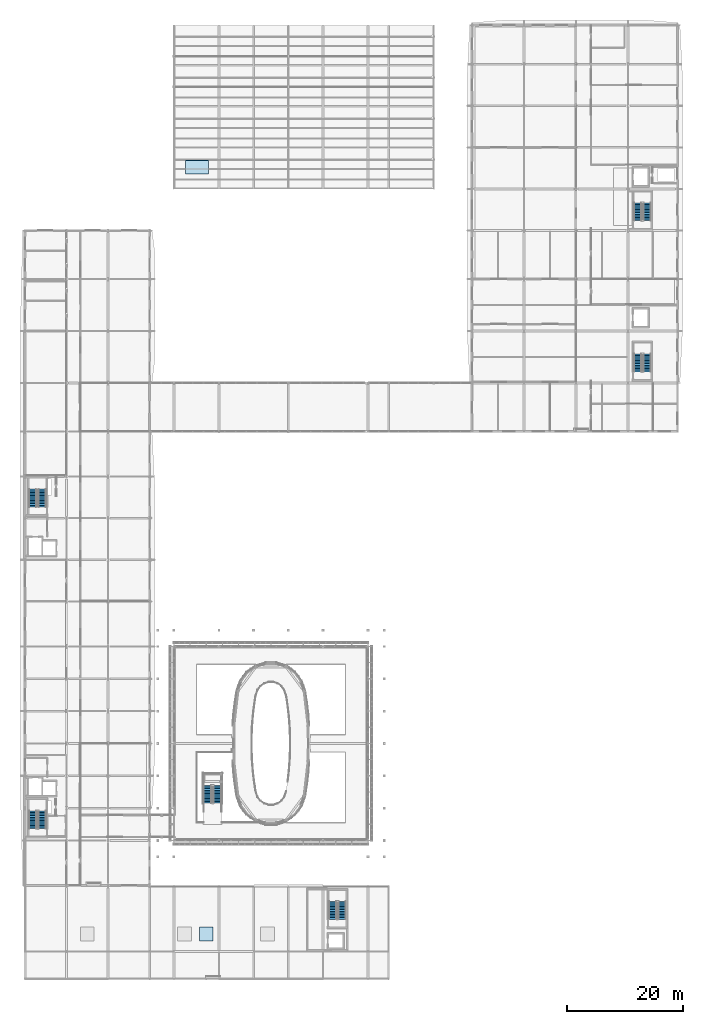
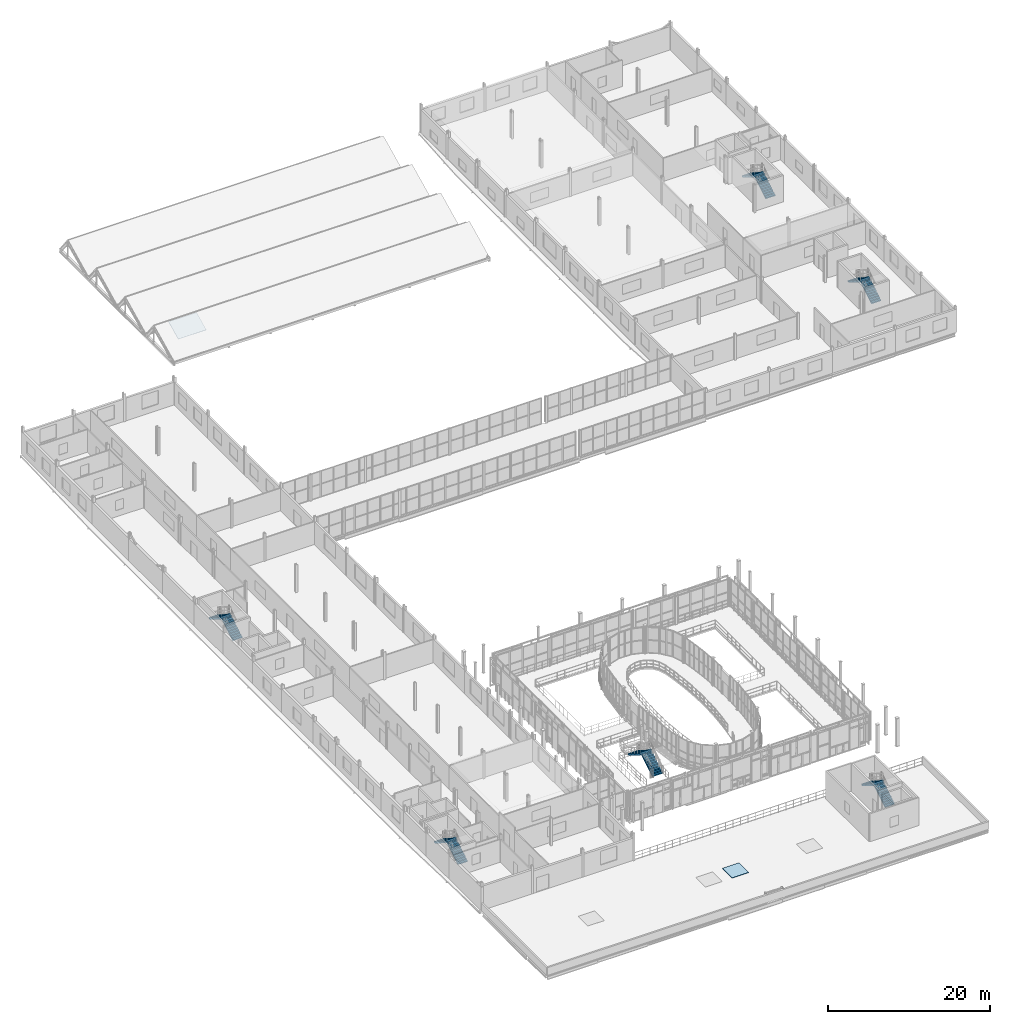
# One storey, part 124 of 138: 12 stair flights, 2 roofs, 6 elements without a shape of their own.
"""IFC4 building model written with IfcOpenShell, lengths in metres."""

from ifc_helpers import new_model, si_unit, direction, frame, origin, origin_2d, place, context, subcontext, project, spatial, polyline, rectangle, outline, extrude, material, layer, layer_set, type_object, element, aggregate, save


model = new_model("IFC4")

# Units and contexts
model_context = context("Model", 3, precision=1e-05, world=origin(), true_north=direction((0.0, 1.0)))
body_context = subcontext(model_context, "Body", "Model", "MODEL_VIEW")
ifc_project = project(units=[si_unit("LENGTHUNIT", "METRE"), si_unit("AREAUNIT", "SQUARE_METRE"), si_unit("VOLUMEUNIT", "CUBIC_METRE"), si_unit("PLANEANGLEUNIT", "RADIAN"), si_unit("MASSUNIT", "GRAM", prefix="KILO")], contexts=[model_context])

# Site, building, storey
site_placement = place(None, origin())
site = spatial("IfcSite", under=ifc_project, at=site_placement, CompositionType="ELEMENT")
building_placement = place(site_placement, origin())
building = spatial("IfcBuilding", under=site, at=building_placement, Name="Vinh Khe Railworks Police Headquarters", CompositionType="ELEMENT")
storey_placement = place(building_placement, frame((0.0, 0.0, 9.0)))
storey = spatial("IfcBuildingStorey", under=building, at=storey_placement, Name="L02", CompositionType="ELEMENT", Elevation=9.0)

# Stair, stair flights
ifc_material_1 = material(Name="Precast concrete C40/50 (B40)", Category="concrete")
stair_type_1 = type_object("IfcStairType", Name="ST-CORE-DOGLEG", PredefinedType="HALF_TURN_STAIR", material=ifc_material_1)
stair_1_placement = place(storey_placement, origin())
stair_1 = element("IfcStair", 1, at=stair_1_placement, inside=storey, type_object=stair_type_1, Name="L02 Escape Stair ST-01", PredefinedType="HALF_TURN_STAIR")
stair_flight_type_1 = type_object("IfcStairFlightType", Name="STF-PRECAST-1350", PredefinedType="STRAIGHT", material=ifc_material_1)
stair_flight_1_placement = place(storey_placement, frame((3.625, 27.25, 0.0), z_axis=(0.0, 0.0, 1.0), x_axis=(0.0, 1.0, 0.0)))
stair_flight_1 = element("IfcStairFlight", 2, at=stair_flight_1_placement, type_object=stair_flight_type_1, Name="ST-01 flight 1", NumberOfRisers=12, NumberOfTreads=11, PredefinedType="STRAIGHT", RiserHeight=0.175, TreadLength=0.28, context=body_context, shape_type="SweptSolid", body=[
    extrude(outline(polyline([(0.0, 0.0), (0.0, 0.175048828125), (0.280029296875, 0.175048828125), (0.280029296875, 0.35009765625), (0.56005859375, 0.35009765625), (0.56005859375, 0.52490234375), (0.840087890625, 0.52490234375), (0.840087890625, 0.699951171875), (1.1201171875, 0.699951171875), (1.1201171875, 0.875), (1.39990234375, 0.875), (1.39990234375, 1.050048828125), (1.679931640625, 1.050048828125), (1.679931640625, 1.22509765625), (1.9599609375, 1.22509765625), (1.9599609375, 1.39990234375), (2.239990234375, 1.39990234375), (2.239990234375, 1.574951171875), (2.52001953125, 1.574951171875), (2.52001953125, 1.75), (2.800048828125, 1.75), (2.800048828125, 1.925048828125), (3.080078125, 1.925048828125), (3.080078125, 2.10009765625), (3.080078125, 1.748291015625), (0.28271484375, 0.0), (0.0, 0.0)])), frame((0.0, 0.675048828125, 0.0), z_axis=(0.0, -1.0, 0.0), x_axis=(1.0, 0.0, 0.0)), (0.0, 0.0, 1.0), 1.35009765625),
])
stair_flight_2_placement = place(storey_placement, frame((1.97509765625, 30.330078125, 2.10009765625), z_axis=(0.0, 0.0, 1.0), x_axis=(0.0, -1.0, 0.0)))
stair_flight_2 = element("IfcStairFlight", 3, at=stair_flight_2_placement, type_object=stair_flight_type_1, Name="ST-01 flight 2", NumberOfRisers=12, NumberOfTreads=11, PredefinedType="STRAIGHT", RiserHeight=0.175, TreadLength=0.28, context=body_context, shape_type="SweptSolid", body=[
    extrude(outline(polyline([(0.0, 0.0), (0.0, 0.175048828125), (0.280029296875, 0.175048828125), (0.280029296875, 0.35009765625), (0.56005859375, 0.35009765625), (0.56005859375, 0.52490234375), (0.840087890625, 0.52490234375), (0.840087890625, 0.699951171875), (1.1201171875, 0.699951171875), (1.1201171875, 0.875), (1.39990234375, 0.875), (1.39990234375, 1.050048828125), (1.679931640625, 1.050048828125), (1.679931640625, 1.22509765625), (1.9599609375, 1.22509765625), (1.9599609375, 1.39990234375), (2.239990234375, 1.39990234375), (2.239990234375, 1.574951171875), (2.52001953125, 1.574951171875), (2.52001953125, 1.75), (2.800048828125, 1.75), (2.800048828125, 1.925048828125), (3.080078125, 1.925048828125), (3.080078125, 2.10009765625), (3.080078125, 1.748291015625), (0.28271484375, 0.0), (0.0, 0.0)])), frame((0.0, 0.675048828125, 0.0), z_axis=(0.0, -1.0, 0.0), x_axis=(1.0, 0.0, 0.0)), (0.0, 0.0, 1.0), 1.35009765625),
])
aggregate(stair_1, [stair_flight_1, stair_flight_2])

stair_2_placement = place(storey_placement, origin())
stair_2 = element("IfcStair", 4, at=stair_2_placement, inside=storey, type_object=stair_type_1, Name="L02 Escape Stair ST-02", PredefinedType="HALF_TURN_STAIR")
stair_flight_3_placement = place(storey_placement, frame((3.625, 82.949951171875, 0.0), z_axis=(0.0, 0.0, 1.0), x_axis=(0.0, 1.0, 0.0)))
stair_flight_3 = element("IfcStairFlight", 5, at=stair_flight_3_placement, type_object=stair_flight_type_1, Name="ST-02 flight 1", NumberOfRisers=12, NumberOfTreads=11, PredefinedType="STRAIGHT", RiserHeight=0.175, TreadLength=0.28, context=body_context, shape_type="SweptSolid", body=[
    extrude(outline(polyline([(0.0, 0.0), (0.0, 0.175048828125), (0.280029296875, 0.175048828125), (0.280029296875, 0.35009765625), (0.56005859375, 0.35009765625), (0.56005859375, 0.52490234375), (0.840087890625, 0.52490234375), (0.840087890625, 0.699951171875), (1.1201171875, 0.699951171875), (1.1201171875, 0.875), (1.39990234375, 0.875), (1.39990234375, 1.050048828125), (1.679931640625, 1.050048828125), (1.679931640625, 1.22509765625), (1.9599609375, 1.22509765625), (1.9599609375, 1.39990234375), (2.239990234375, 1.39990234375), (2.239990234375, 1.574951171875), (2.52001953125, 1.574951171875), (2.52001953125, 1.75), (2.800048828125, 1.75), (2.800048828125, 1.925048828125), (3.080078125, 1.925048828125), (3.080078125, 2.10009765625), (3.080078125, 1.748291015625), (0.28271484375, 0.0), (0.0, 0.0)])), frame((0.0, 0.675048828125, 0.0), z_axis=(0.0, -1.0, 0.0), x_axis=(1.0, 0.0, 0.0)), (0.0, 0.0, 1.0), 1.35009765625),
])
stair_flight_4_placement = place(storey_placement, frame((1.97509765625, 86.030029296875, 2.10009765625), z_axis=(0.0, 0.0, 1.0), x_axis=(0.0, -1.0, 0.0)))
stair_flight_4 = element("IfcStairFlight", 6, at=stair_flight_4_placement, type_object=stair_flight_type_1, Name="ST-02 flight 2", NumberOfRisers=12, NumberOfTreads=11, PredefinedType="STRAIGHT", RiserHeight=0.175, TreadLength=0.28, context=body_context, shape_type="SweptSolid", body=[
    extrude(outline(polyline([(0.0, 0.0), (0.0, 0.175048828125), (0.280029296875, 0.175048828125), (0.280029296875, 0.35009765625), (0.56005859375, 0.35009765625), (0.56005859375, 0.52490234375), (0.840087890625, 0.52490234375), (0.840087890625, 0.699951171875), (1.1201171875, 0.699951171875), (1.1201171875, 0.875), (1.39990234375, 0.875), (1.39990234375, 1.050048828125), (1.679931640625, 1.050048828125), (1.679931640625, 1.22509765625), (1.9599609375, 1.22509765625), (1.9599609375, 1.39990234375), (2.239990234375, 1.39990234375), (2.239990234375, 1.574951171875), (2.52001953125, 1.574951171875), (2.52001953125, 1.75), (2.800048828125, 1.75), (2.800048828125, 1.925048828125), (3.080078125, 1.925048828125), (3.080078125, 2.10009765625), (3.080078125, 1.748291015625), (0.28271484375, 0.0), (0.0, 0.0)])), frame((0.0, 0.675048828125, 0.0), z_axis=(0.0, -1.0, 0.0), x_axis=(1.0, 0.0, 0.0)), (0.0, 0.0, 1.0), 1.35009765625),
])
aggregate(stair_2, [stair_flight_3, stair_flight_4])

stair_3_placement = place(storey_placement, origin())
stair_3 = element("IfcStair", 7, at=stair_3_placement, inside=storey, type_object=stair_type_1, Name="L02 Escape Stair ST-03", PredefinedType="HALF_TURN_STAIR")
stair_flight_5_placement = place(storey_placement, frame((108.324951171875, 132.5, 0.0), z_axis=(0.0, 0.0, 1.0), x_axis=(0.0, 1.0, 0.0)))
stair_flight_5 = element("IfcStairFlight", 8, at=stair_flight_5_placement, type_object=stair_flight_type_1, Name="ST-03 flight 1", NumberOfRisers=12, NumberOfTreads=11, PredefinedType="STRAIGHT", RiserHeight=0.175, TreadLength=0.28, context=body_context, shape_type="SweptSolid", body=[
    extrude(outline(polyline([(0.0, 0.0), (0.0, 0.175048828125), (0.280029296875, 0.175048828125), (0.280029296875, 0.35009765625), (0.56005859375, 0.35009765625), (0.56005859375, 0.52490234375), (0.840087890625, 0.52490234375), (0.840087890625, 0.699951171875), (1.1201171875, 0.699951171875), (1.1201171875, 0.875), (1.39990234375, 0.875), (1.39990234375, 1.050048828125), (1.679931640625, 1.050048828125), (1.679931640625, 1.22509765625), (1.9599609375, 1.22509765625), (1.9599609375, 1.39990234375), (2.239990234375, 1.39990234375), (2.239990234375, 1.574951171875), (2.52001953125, 1.574951171875), (2.52001953125, 1.75), (2.800048828125, 1.75), (2.800048828125, 1.925048828125), (3.080078125, 1.925048828125), (3.080078125, 2.10009765625), (3.080078125, 1.748291015625), (0.28271484375, 0.0), (0.0, 0.0)])), frame((0.0, 0.675048828125, 0.0), z_axis=(0.0, -1.0, 0.0), x_axis=(1.0, 0.0, 0.0)), (0.0, 0.0, 1.0), 1.35009765625),
])
stair_flight_6_placement = place(storey_placement, frame((106.675048828125, 135.580078125, 2.10009765625), z_axis=(0.0, 0.0, 1.0), x_axis=(0.0, -1.0, 0.0)))
stair_flight_6 = element("IfcStairFlight", 9, at=stair_flight_6_placement, type_object=stair_flight_type_1, Name="ST-03 flight 2", NumberOfRisers=12, NumberOfTreads=11, PredefinedType="STRAIGHT", RiserHeight=0.175, TreadLength=0.28, context=body_context, shape_type="SweptSolid", body=[
    extrude(outline(polyline([(0.0, 0.0), (0.0, 0.175048828125), (0.280029296875, 0.175048828125), (0.280029296875, 0.35009765625), (0.56005859375, 0.35009765625), (0.56005859375, 0.52490234375), (0.840087890625, 0.52490234375), (0.840087890625, 0.699951171875), (1.1201171875, 0.699951171875), (1.1201171875, 0.875), (1.39990234375, 0.875), (1.39990234375, 1.050048828125), (1.679931640625, 1.050048828125), (1.679931640625, 1.22509765625), (1.9599609375, 1.22509765625), (1.9599609375, 1.39990234375), (2.239990234375, 1.39990234375), (2.239990234375, 1.574951171875), (2.52001953125, 1.574951171875), (2.52001953125, 1.75), (2.800048828125, 1.75), (2.800048828125, 1.925048828125), (3.080078125, 1.925048828125), (3.080078125, 2.10009765625), (3.080078125, 1.748291015625), (0.28271484375, 0.0), (0.0, 0.0)])), frame((0.0, 0.675048828125, 0.0), z_axis=(0.0, -1.0, 0.0), x_axis=(1.0, 0.0, 0.0)), (0.0, 0.0, 1.0), 1.35009765625),
])
aggregate(stair_3, [stair_flight_5, stair_flight_6])

stair_4_placement = place(storey_placement, origin())
stair_4 = element("IfcStair", 10, at=stair_4_placement, inside=storey, type_object=stair_type_1, Name="L02 Escape Stair ST-04", PredefinedType="HALF_TURN_STAIR")
stair_flight_7_placement = place(storey_placement, frame((108.324951171875, 106.35009765625, 0.0), z_axis=(0.0, 0.0, 1.0), x_axis=(0.0, 1.0, 0.0)))
stair_flight_7 = element("IfcStairFlight", 11, at=stair_flight_7_placement, type_object=stair_flight_type_1, Name="ST-04 flight 1", NumberOfRisers=12, NumberOfTreads=11, PredefinedType="STRAIGHT", RiserHeight=0.175, TreadLength=0.28, context=body_context, shape_type="SweptSolid", body=[
    extrude(outline(polyline([(0.0, 0.0), (0.0, 0.175048828125), (0.280029296875, 0.175048828125), (0.280029296875, 0.35009765625), (0.56005859375, 0.35009765625), (0.56005859375, 0.52490234375), (0.840087890625, 0.52490234375), (0.840087890625, 0.699951171875), (1.1201171875, 0.699951171875), (1.1201171875, 0.875), (1.39990234375, 0.875), (1.39990234375, 1.050048828125), (1.679931640625, 1.050048828125), (1.679931640625, 1.22509765625), (1.9599609375, 1.22509765625), (1.9599609375, 1.39990234375), (2.239990234375, 1.39990234375), (2.239990234375, 1.574951171875), (2.52001953125, 1.574951171875), (2.52001953125, 1.75), (2.800048828125, 1.75), (2.800048828125, 1.925048828125), (3.080078125, 1.925048828125), (3.080078125, 2.10009765625), (3.080078125, 1.748291015625), (0.28271484375, 0.0), (0.0, 0.0)])), frame((0.0, 0.675048828125, 0.0), z_axis=(0.0, -1.0, 0.0), x_axis=(1.0, 0.0, 0.0)), (0.0, 0.0, 1.0), 1.35009765625),
])
stair_flight_8_placement = place(storey_placement, frame((106.675048828125, 109.429931640625, 2.10009765625), z_axis=(0.0, 0.0, 1.0), x_axis=(0.0, -1.0, 0.0)))
stair_flight_8 = element("IfcStairFlight", 12, at=stair_flight_8_placement, type_object=stair_flight_type_1, Name="ST-04 flight 2", NumberOfRisers=12, NumberOfTreads=11, PredefinedType="STRAIGHT", RiserHeight=0.175, TreadLength=0.28, context=body_context, shape_type="SweptSolid", body=[
    extrude(outline(polyline([(0.0, 0.0), (0.0, 0.175048828125), (0.280029296875, 0.175048828125), (0.280029296875, 0.35009765625), (0.56005859375, 0.35009765625), (0.56005859375, 0.52490234375), (0.840087890625, 0.52490234375), (0.840087890625, 0.699951171875), (1.1201171875, 0.699951171875), (1.1201171875, 0.875), (1.39990234375, 0.875), (1.39990234375, 1.050048828125), (1.679931640625, 1.050048828125), (1.679931640625, 1.22509765625), (1.9599609375, 1.22509765625), (1.9599609375, 1.39990234375), (2.239990234375, 1.39990234375), (2.239990234375, 1.574951171875), (2.52001953125, 1.574951171875), (2.52001953125, 1.75), (2.800048828125, 1.75), (2.800048828125, 1.925048828125), (3.080078125, 1.925048828125), (3.080078125, 2.10009765625), (3.080078125, 1.748291015625), (0.28271484375, 0.0), (0.0, 0.0)])), frame((0.0, 0.675048828125, 0.0), z_axis=(0.0, -1.0, 0.0), x_axis=(1.0, 0.0, 0.0)), (0.0, 0.0, 1.0), 1.35009765625),
])
aggregate(stair_4, [stair_flight_7, stair_flight_8])

stair_5_placement = place(storey_placement, origin())
stair_5 = element("IfcStair", 13, at=stair_5_placement, inside=storey, type_object=stair_type_1, Name="L02 Escape Stair ST-05", PredefinedType="HALF_TURN_STAIR")
stair_flight_9_placement = place(storey_placement, frame((55.52490234375, 11.550048828125, 0.0), z_axis=(0.0, 0.0, 1.0), x_axis=(0.0, 1.0, 0.0)))
stair_flight_9 = element("IfcStairFlight", 14, at=stair_flight_9_placement, type_object=stair_flight_type_1, Name="ST-05 flight 1", NumberOfRisers=12, NumberOfTreads=11, PredefinedType="STRAIGHT", RiserHeight=0.175, TreadLength=0.28, context=body_context, shape_type="SweptSolid", body=[
    extrude(outline(polyline([(0.0, 0.0), (0.0, 0.175048828125), (0.280029296875, 0.175048828125), (0.280029296875, 0.35009765625), (0.56005859375, 0.35009765625), (0.56005859375, 0.52490234375), (0.840087890625, 0.52490234375), (0.840087890625, 0.699951171875), (1.1201171875, 0.699951171875), (1.1201171875, 0.875), (1.39990234375, 0.875), (1.39990234375, 1.050048828125), (1.679931640625, 1.050048828125), (1.679931640625, 1.22509765625), (1.9599609375, 1.22509765625), (1.9599609375, 1.39990234375), (2.239990234375, 1.39990234375), (2.239990234375, 1.574951171875), (2.52001953125, 1.574951171875), (2.52001953125, 1.75), (2.800048828125, 1.75), (2.800048828125, 1.925048828125), (3.080078125, 1.925048828125), (3.080078125, 2.10009765625), (3.080078125, 1.748291015625), (0.28271484375, 0.0), (0.0, 0.0)])), frame((0.0, 0.675048828125, 0.0), z_axis=(0.0, -1.0, 0.0), x_axis=(1.0, 0.0, 0.0)), (0.0, 0.0, 1.0), 1.35009765625),
])
stair_flight_10_placement = place(storey_placement, frame((53.875, 14.6298828125, 2.10009765625), z_axis=(0.0, 0.0, 1.0), x_axis=(0.0, -1.0, 0.0)))
stair_flight_10 = element("IfcStairFlight", 15, at=stair_flight_10_placement, type_object=stair_flight_type_1, Name="ST-05 flight 2", NumberOfRisers=12, NumberOfTreads=11, PredefinedType="STRAIGHT", RiserHeight=0.175, TreadLength=0.28, context=body_context, shape_type="SweptSolid", body=[
    extrude(outline(polyline([(0.0, 0.0), (0.0, 0.175048828125), (0.280029296875, 0.175048828125), (0.280029296875, 0.35009765625), (0.56005859375, 0.35009765625), (0.56005859375, 0.52490234375), (0.840087890625, 0.52490234375), (0.840087890625, 0.699951171875), (1.1201171875, 0.699951171875), (1.1201171875, 0.875), (1.39990234375, 0.875), (1.39990234375, 1.050048828125), (1.679931640625, 1.050048828125), (1.679931640625, 1.22509765625), (1.9599609375, 1.22509765625), (1.9599609375, 1.39990234375), (2.239990234375, 1.39990234375), (2.239990234375, 1.574951171875), (2.52001953125, 1.574951171875), (2.52001953125, 1.75), (2.800048828125, 1.75), (2.800048828125, 1.925048828125), (3.080078125, 1.925048828125), (3.080078125, 2.10009765625), (3.080078125, 1.748291015625), (0.28271484375, 0.0), (0.0, 0.0)])), frame((0.0, 0.675048828125, 0.0), z_axis=(0.0, -1.0, 0.0), x_axis=(1.0, 0.0, 0.0)), (0.0, 0.0, 1.0), 1.35009765625),
])
aggregate(stair_5, [stair_flight_9, stair_flight_10])

ifc_material_2 = material(Name="Steel S355JR", Category="steel")
stair_type_2 = type_object("IfcStairType", Name="ST-HALL-FEATURE", PredefinedType="HALF_TURN_STAIR", material=ifc_material_2)
stair_6_placement = place(storey_placement, origin())
stair_6 = element("IfcStair", 16, at=stair_6_placement, inside=storey, type_object=stair_type_2, Name="L02 Concourse Feature Stair ST-08", PredefinedType="HALF_TURN_STAIR")
stair_flight_type_2 = type_object("IfcStairFlightType", Name="STF-STEEL-1450", PredefinedType="STRAIGHT", material=ifc_material_2)
stair_flight_11_placement = place(storey_placement, frame((33.97509765625, 31.64990234375, 0.0), z_axis=(0.0, 0.0, 1.0), x_axis=(0.0, 1.0, 0.0)))
stair_flight_11 = element("IfcStairFlight", 17, at=stair_flight_11_placement, type_object=stair_flight_type_2, Name="ST-08 flight 1", NumberOfRisers=12, NumberOfTreads=11, PredefinedType="STRAIGHT", RiserHeight=0.175, TreadLength=0.28, context=body_context, shape_type="SweptSolid", body=[
    extrude(outline(polyline([(0.0, 0.0), (0.0, 0.175048828125), (0.280029296875, 0.175048828125), (0.280029296875, 0.35009765625), (0.56005859375, 0.35009765625), (0.56005859375, 0.52490234375), (0.840087890625, 0.52490234375), (0.840087890625, 0.699951171875), (1.1201171875, 0.699951171875), (1.1201171875, 0.875), (1.39990234375, 0.875), (1.39990234375, 1.050048828125), (1.679931640625, 1.050048828125), (1.679931640625, 1.22509765625), (1.9599609375, 1.22509765625), (1.9599609375, 1.39990234375), (2.239990234375, 1.39990234375), (2.239990234375, 1.574951171875), (2.52001953125, 1.574951171875), (2.52001953125, 1.75), (2.800048828125, 1.75), (2.800048828125, 1.925048828125), (3.080078125, 1.925048828125), (3.080078125, 2.10009765625), (3.080078125, 1.748291015625), (0.28271484375, 0.0), (0.0, 0.0)])), frame((0.0, 0.72509765625, 0.0), z_axis=(0.0, -1.0, 0.0), x_axis=(1.0, 0.0, 0.0)), (0.0, 0.0, 1.0), 1.449951171875),
])
stair_flight_12_placement = place(storey_placement, frame((32.22509765625, 34.72998046875, 2.10009765625), z_axis=(0.0, 0.0, 1.0), x_axis=(0.0, -1.0, 0.0)))
stair_flight_12 = element("IfcStairFlight", 18, at=stair_flight_12_placement, type_object=stair_flight_type_2, Name="ST-08 flight 2", NumberOfRisers=12, NumberOfTreads=11, PredefinedType="STRAIGHT", RiserHeight=0.175, TreadLength=0.28, context=body_context, shape_type="SweptSolid", body=[
    extrude(outline(polyline([(0.0, 0.0), (0.0, 0.175048828125), (0.280029296875, 0.175048828125), (0.280029296875, 0.35009765625), (0.56005859375, 0.35009765625), (0.56005859375, 0.52490234375), (0.840087890625, 0.52490234375), (0.840087890625, 0.699951171875), (1.1201171875, 0.699951171875), (1.1201171875, 0.875), (1.39990234375, 0.875), (1.39990234375, 1.050048828125), (1.679931640625, 1.050048828125), (1.679931640625, 1.22509765625), (1.9599609375, 1.22509765625), (1.9599609375, 1.39990234375), (2.239990234375, 1.39990234375), (2.239990234375, 1.574951171875), (2.52001953125, 1.574951171875), (2.52001953125, 1.75), (2.800048828125, 1.75), (2.800048828125, 1.925048828125), (3.080078125, 1.925048828125), (3.080078125, 2.10009765625), (3.080078125, 1.748291015625), (0.28271484375, 0.0), (0.0, 0.0)])), frame((0.0, 0.72509765625, 0.0), z_axis=(0.0, -1.0, 0.0), x_axis=(1.0, 0.0, 0.0)), (0.0, 0.0, 1.0), 1.449951171875),
])
aggregate(stair_6, [stair_flight_11, stair_flight_12])

# Roofs
ifc_material_3 = material(Name="Concrete C35/45 (B35)", Category="concrete")
ifc_layer_1 = layer(ifc_material_3, 0.080078125)
ifc_layer_set_1 = layer_set([ifc_layer_1], Name="Concrete C35/45 (B35)")
roof_type_1 = type_object("IfcRoofType", Name="Flat Roof Weathering Cap Assembly", PredefinedType="FLAT_ROOF", material=ifc_layer_set_1)
roof_1_placement = place(storey_placement, frame((32.0, 9.0, -0.02001953125), z_axis=(0.0, 0.0, 1.0), x_axis=(1.0, 0.0, 0.0)))
element("IfcRoof", 19, at=roof_1_placement, inside=storey, type_object=roof_type_1, Name="Flat Roof Weathering Cap ROOF-CAP-V4", PredefinedType="FLAT_ROOF", context=body_context, shape_type="SweptSolid", body=[
    extrude(rectangle(XDim=2.39990234375, YDim=2.39990234375, at=origin_2d()), origin(), (0.0, 0.0, 1.0), 0.080078125),
])
ifc_layer_2 = layer(ifc_material_2, 0.080078125)
ifc_layer_set_2 = layer_set([ifc_layer_2], Name="Steel S355JR")
roof_type_2 = type_object("IfcRoofType", Name="Gable Roof Ridge Cap Assembly", PredefinedType="GABLE_ROOF", material=ifc_layer_set_2)
roof_2_placement = place(storey_placement, frame((28.39990234375, 140.550048828125, 1.719970703125), z_axis=(0.0, -0.441214807776, 0.897401522954), x_axis=(1.0, 0.0, 0.0)))
element("IfcRoof", 20, at=roof_2_placement, inside=storey, type_object=roof_type_2, Name="V3 Sawtooth Shed Ridge Cap", PredefinedType="GABLE_ROOF", context=body_context, shape_type="SweptSolid", body=[
    extrude(outline(polyline([(0.0, 0.0), (4.0, 0.0), (4.0, 2.6742793302280043), (0.0, 2.6742793302280043), (0.0, 0.0)])), origin(), (0.0, 0.0, -1.0), 0.080078125),
])

save(model, "model.ifc")
